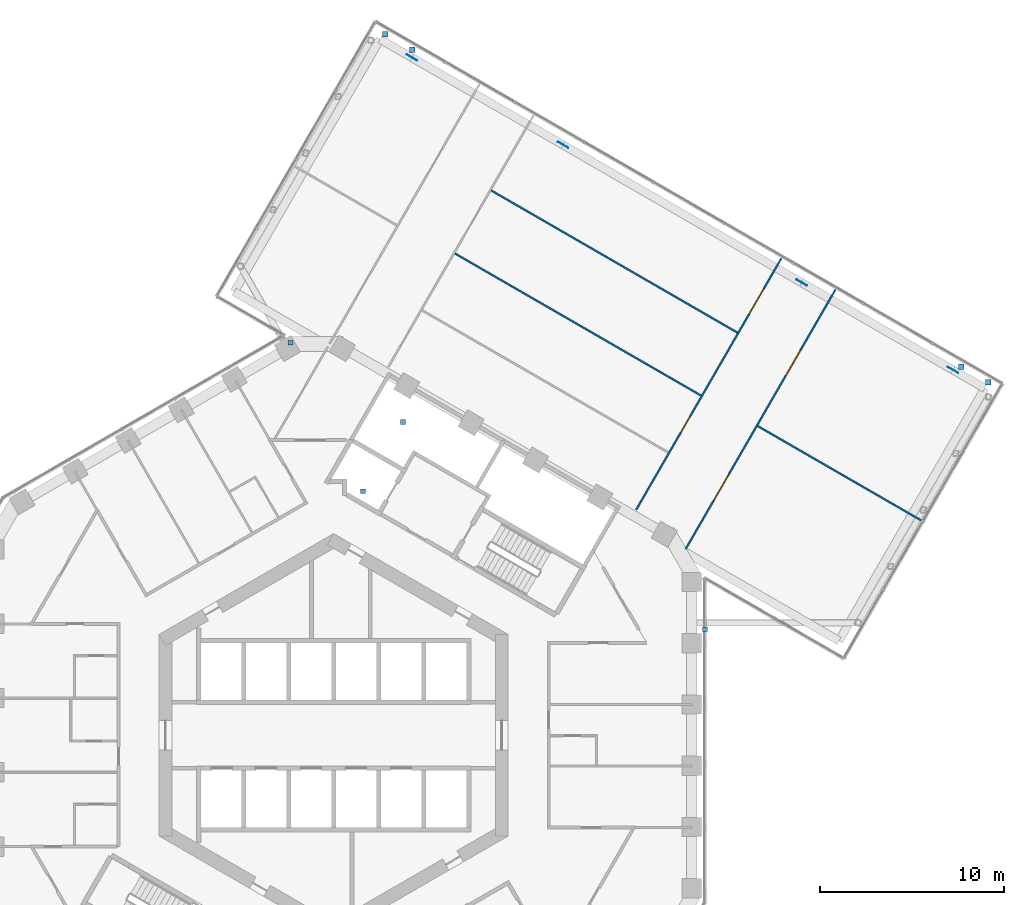
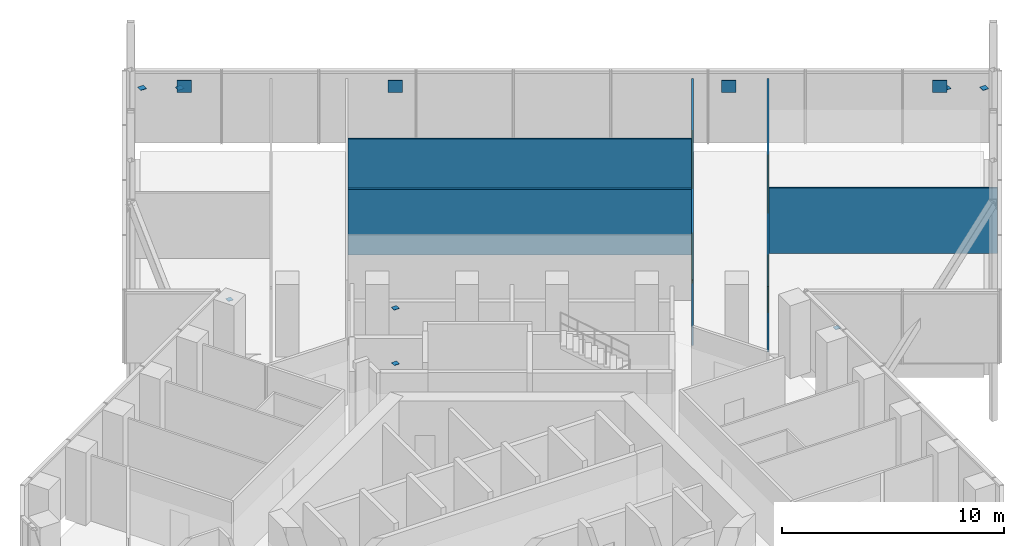
# One storey, part 22 of 25: 12 discrete accessories, 5 walls, 4 doors, 4 openings.
"""IFC4 building model written with IfcOpenShell, lengths in metres."""

from ifc_helpers import new_model, si_unit, direction, frame, frame_2d, origin, origin_2d, place, context, subcontext, project, spatial, rectangle, extrude, material, layer, layer_set, type_object, element, fill, save


model = new_model("IFC4")

# Units and contexts
model_context = context("Model", 3, precision=1e-05, world=origin(), true_north=direction((0.0, 1.0)))
body_context = subcontext(model_context, "Body", "Model", "MODEL_VIEW")
ifc_project = project(units=[si_unit("LENGTHUNIT", "METRE"), si_unit("AREAUNIT", "SQUARE_METRE"), si_unit("VOLUMEUNIT", "CUBIC_METRE"), si_unit("PLANEANGLEUNIT", "RADIAN"), si_unit("MASSUNIT", "GRAM", prefix="KILO")], contexts=[model_context])

# Site, building, storey
site_placement = place(None, origin())
site = spatial("IfcSite", under=ifc_project, at=site_placement, CompositionType="ELEMENT")
building_placement = place(site_placement, origin())
building = spatial("IfcBuilding", under=site, at=building_placement, Name="Ayvan Gate Tower", CompositionType="ELEMENT")
storey_placement = place(building_placement, frame((0.0, 0.0, 139.89990234375)))
storey = spatial("IfcBuildingStorey", under=building, at=storey_placement, Name="L37", CompositionType="ELEMENT", Elevation=139.89990234375)

# Walls
ifc_material_1 = material(Name="Plasterboard on steel stud", Category="steel")
ifc_layer_1 = layer(ifc_material_1, 0.10009765625)
ifc_layer_set_1 = layer_set([ifc_layer_1], Name="Plasterboard on steel stud")
wall_type = type_object("IfcWallType", Name="WT-PART-100", PredefinedType="PARTITIONING", material=ifc_layer_set_1)
for number, where, z_axis, x_axis, name in (
    (1, (6.599853515625, 26.214111328125, 0.0), (0.0, 0.0, 1.0), (0.86602732511, -0.499996672152, 0.0), "IW-L37-089"),
    (2, (8.577880859375, 29.64013671875, 0.0), (0.0, 0.0, 1.0), (0.866023378404, -0.500003508045, 0.0), "IW-L37-100"),
):
    element("IfcWall", number, at=place(storey_placement, frame(where, z_axis=z_axis, x_axis=x_axis)), inside=storey, type_object=wall_type, Name=name, PredefinedType="PARTITIONING", context=body_context, shape_type="SweptSolid", body=[
        extrude(rectangle(XDim=15.46484375, YDim=0.10009765625, at=frame_2d((7.732421875, 0.0))), origin(), (0.0, 0.0, 1.0), 3.60009765625),
    ])

# Wall, openings, doors
wall_1_placement = place(storey_placement, frame((16.46240234375, 12.2666015625, 0.0), z_axis=(0.0, 0.0, 1.0), x_axis=(0.499991656573, 0.866030220811, 0.0)))
wall_1 = element("IfcWall", 3, at=wall_1_placement, inside=storey, type_object=wall_type, Name="IW-L37-119", PredefinedType="PARTITIONING", context=body_context, shape_type="SweptSolid", body=[
    extrude(rectangle(XDim=15.805419921875, YDim=0.10009765625, at=frame_2d((7.90283203125, 0.0))), origin(), (0.0, 0.0, 1.0), 3.60009765625),
])
opening_1_placement = place(wall_1_placement, frame((4.860595703125, 0.0, 0.0)))
opening_1 = element("IfcOpeningElement", 4, at=opening_1_placement, cuts=wall_1, Name="Opening L37-D40", PredefinedType="OPENING", context=body_context, shape_type="SweptSolid", body=[
    extrude(rectangle(XDim=1.0, YDim=2.10009765625, at=frame_2d((0.5, 1.050048828125))), frame((0.0, 0.06005859375, 0.0), z_axis=(0.0, -1.0, 0.0), x_axis=(1.0, 0.0, 0.0)), (0.0, 0.0, 1.0), 0.1201171875),
])
opening_2_placement = place(wall_1_placement, frame((12.29638671875, 0.0, 0.0)))
opening_2 = element("IfcOpeningElement", 5, at=opening_2_placement, cuts=wall_1, Name="Opening L37-D42", PredefinedType="OPENING", context=body_context, shape_type="SweptSolid", body=[
    extrude(rectangle(XDim=1.60009765625, YDim=2.10009765625, at=frame_2d((0.800048828125, 1.050048828125))), frame((0.0, 0.06005859375, 0.0), z_axis=(0.0, -1.0, 0.0), x_axis=(1.0, 0.0, 0.0)), (0.0, 0.0, 1.0), 0.1201171875),
])
ifc_material_2 = material(Name="Timber door leaf", Category="wood")
door_type_1 = type_object("IfcDoorType", Name="DT-1000", OperationType="NOTDEFINED", PredefinedType="DOOR", material=ifc_material_2)
door_1_placement = place(opening_1_placement, origin())
door_1 = element("IfcDoor", 6, at=door_1_placement, inside=storey, type_object=door_type_1, Name="ID-L37-040", OperationType="SINGLE_SWING_LEFT", OverallHeight=2.10009765625, OverallWidth=1.0, PredefinedType="DOOR", context=body_context, shape_type="SweptSolid", body=[
    extrude(rectangle(XDim=1.0, YDim=2.10009765625, at=frame_2d((0.5, 1.050048828125))), frame((0.0, 0.02490234375, 0.0), z_axis=(0.0, -1.0, 0.0), x_axis=(1.0, 0.0, 0.0)), (0.0, 0.0, 1.0), 0.050048828125),
])
fill(opening_1, door_1)
door_type_2 = type_object("IfcDoorType", Name="DT-1600", OperationType="NOTDEFINED", PredefinedType="DOOR", material=ifc_material_2)
door_2_placement = place(opening_2_placement, origin())
door_2 = element("IfcDoor", 7, at=door_2_placement, inside=storey, type_object=door_type_2, Name="ID-L37-042", OperationType="SINGLE_SWING_LEFT", OverallHeight=2.10009765625, OverallWidth=1.60009765625, PredefinedType="DOOR", context=body_context, shape_type="SweptSolid", body=[
    extrude(rectangle(XDim=1.60009765625, YDim=2.10009765625, at=frame_2d((0.800048828125, 1.050048828125))), frame((0.0, 0.02490234375, 0.0), z_axis=(0.0, -1.0, 0.0), x_axis=(1.0, 0.0, 0.0)), (0.0, 0.0, 1.0), 0.050048828125),
])
fill(opening_2, door_2)

# Wall
wall_2_placement = place(storey_placement, frame((23.07666015625, 16.82275390625, 0.0), z_axis=(0.0, 0.0, 1.0), x_axis=(0.866026087725, -0.499998815378, 0.0)))
element("IfcWall", 8, at=wall_2_placement, inside=storey, type_object=wall_type, Name="IW-L37-122", PredefinedType="PARTITIONING", context=body_context, shape_type="SweptSolid", body=[
    extrude(rectangle(XDim=10.2724609375, YDim=0.10009765625, at=frame_2d((5.13623046875, 0.0))), origin(), (0.0, 0.0, 1.0), 3.60009765625),
])

# Wall, openings, doors
wall_3_placement = place(storey_placement, frame((19.151611328125, 10.124755859375, 0.0), z_axis=(0.0, 0.0, 1.0), x_axis=(0.500003095412, 0.86602361664, 0.0)))
wall_3 = element("IfcWall", 9, at=wall_3_placement, inside=storey, type_object=wall_type, Name="IW-L37-123", PredefinedType="PARTITIONING", context=body_context, shape_type="SweptSolid", body=[
    extrude(rectangle(XDim=16.31591796875, YDim=0.10009765625, at=frame_2d((8.157958984375, 0.0))), origin(), (0.0, 0.0, 1.0), 3.60009765625),
])
opening_3_placement = place(wall_3_placement, frame((3.066650390625, 0.0, 0.0)))
opening_3 = element("IfcOpeningElement", 10, at=opening_3_placement, cuts=wall_3, Name="Opening L37-D43", PredefinedType="OPENING", context=body_context, shape_type="SweptSolid", body=[
    extrude(rectangle(XDim=1.60009765625, YDim=2.10009765625, at=frame_2d((0.800048828125, 1.050048828125))), frame((0.0, 0.06005859375, 0.0), z_axis=(0.0, -1.0, 0.0), x_axis=(1.0, 0.0, 0.0)), (0.0, 0.0, 1.0), 0.1201171875),
])
opening_4_placement = place(wall_3_placement, frame((10.881591796875, 0.0, 0.0)))
opening_4 = element("IfcOpeningElement", 11, at=opening_4_placement, cuts=wall_3, Name="Opening L37-D44", PredefinedType="OPENING", context=body_context, shape_type="SweptSolid", body=[
    extrude(rectangle(XDim=1.60009765625, YDim=2.10009765625, at=frame_2d((0.800048828125, 1.050048828125))), frame((0.0, 0.06005859375, 0.0), z_axis=(0.0, -1.0, 0.0), x_axis=(1.0, 0.0, 0.0)), (0.0, 0.0, 1.0), 0.1201171875),
])
door_3_placement = place(opening_3_placement, origin())
door_3 = element("IfcDoor", 12, at=door_3_placement, inside=storey, type_object=door_type_2, Name="ID-L37-043", OperationType="SINGLE_SWING_RIGHT", OverallHeight=2.10009765625, OverallWidth=1.60009765625, PredefinedType="DOOR", context=body_context, shape_type="SweptSolid", body=[
    extrude(rectangle(XDim=1.60009765625, YDim=2.10009765625, at=frame_2d((0.800048828125, 1.050048828125))), frame((0.0, 0.02490234375, 0.0), z_axis=(0.0, -1.0, 0.0), x_axis=(1.0, 0.0, 0.0)), (0.0, 0.0, 1.0), 0.050048828125),
])
fill(opening_3, door_3)
door_4_placement = place(opening_4_placement, origin())
door_4 = element("IfcDoor", 13, at=door_4_placement, inside=storey, type_object=door_type_2, Name="ID-L37-044", OperationType="SINGLE_SWING_LEFT", OverallHeight=2.10009765625, OverallWidth=1.60009765625, PredefinedType="DOOR", context=body_context, shape_type="SweptSolid", body=[
    extrude(rectangle(XDim=1.60009765625, YDim=2.10009765625, at=frame_2d((0.800048828125, 1.050048828125))), frame((0.0, 0.02490234375, 0.0), z_axis=(0.0, -1.0, 0.0), x_axis=(1.0, 0.0, 0.0)), (0.0, 0.0, 1.0), 0.050048828125),
])
fill(opening_4, door_4)

# Discrete accessories
ifc_material_3 = material(Name="Steel S460ML", Category="steel")
ifc_layer_2 = layer(ifc_material_3, 0.034912109375)
ifc_layer_set_2 = layer_set([ifc_layer_2], Name="Steel S460ML")
discrete_accessory_type_1 = type_object("IfcDiscreteAccessoryType", Name="Gusset plate 35 mm", PredefinedType="BRACKET", material=ifc_layer_set_2)
for number, where, z_axis, x_axis, name in (
    (14, (25.4755859375, 24.625244140625, 3.27490234375), (0.0, 0.0, 1.0), (-0.866025403784, 0.5, 0.0), "Gusset plate EXO-B3-D1A"),
    (15, (33.702880859375, 19.875244140625, 3.27490234375), (0.0, 0.0, 1.0), (-0.866025403784, 0.5, 0.0), "Gusset plate EXO-B3-D1B"),
    (16, (12.4853515625, 32.125244140625, 3.27490234375), (0.0, 0.0, 1.0), (-0.866025403784, 0.5, 0.0), "Gusset plate EXO-B3-D2A"),
    (17, (4.258056640625, 36.875244140625, 3.27490234375), (0.0, 0.0, 1.0), (-0.866025403784, 0.5, 0.0), "Gusset plate EXO-B3-D3A"),
):
    element("IfcDiscreteAccessory", number, at=place(storey_placement, frame(where, z_axis=z_axis, x_axis=x_axis)), inside=storey, type_object=discrete_accessory_type_1, Name=name, PredefinedType="BRACKET", context=body_context, shape_type="SweptSolid", body=[
        extrude(rectangle(XDim=0.650146484375, YDim=0.034912109375, at=origin_2d()), origin(), (0.0, 0.0, 1.0), 0.650146484375),
    ])
ifc_layer_3 = layer(ifc_material_3, 0.02001953125)
ifc_layer_set_3 = layer_set([ifc_layer_3], Name="Steel S460ML")
discrete_accessory_type_2 = type_object("IfcDiscreteAccessoryType", Name="Sky bar end cap plate", PredefinedType="BRACKET", material=ifc_layer_set_3)
for number, where, z_axis, x_axis, name in (
    (18, (20.210205078125, 5.76904296875, 3.60009765625), (0.0, 0.0, 1.0), (1.0, 0.0, 0.0), "End cap SBT3-1-U-4:EC"),
    (19, (1.603515625, 13.277099609375, 3.60009765625), (0.0, 0.0, 1.0), (1.0, 0.0, 0.0), "End cap SBT3-3-U-1:EC"),
    (20, (3.77978515625, 17.046630859375, 3.60009765625), (0.0, 0.0, 1.0), (1.0, 0.0, 0.0), "End cap SBT3-3-U-2:EC"),
    (21, (-2.341064453125, 21.3564453125, 3.60009765625), (0.0, 0.0, 1.0), (1.0, 0.0, 0.0), "End cap SBT3-4-U-4:EC"),
):
    element("IfcDiscreteAccessory", number, at=place(storey_placement, frame(where, z_axis=z_axis, x_axis=x_axis)), inside=storey, type_object=discrete_accessory_type_2, Name=name, PredefinedType="BRACKET", context=body_context, shape_type="SweptSolid", body=[
        extrude(rectangle(XDim=0.260009765625, YDim=0.260009765625, at=origin_2d()), origin(), (0.0, 0.0, 1.0), 0.02001953125),
    ])
for number, where, z_axis, x_axis, name in (
    (22, (2.802734375, 38.154296875, 3.22509765625), (0.0, 0.0, 1.0), (1.0, 0.0, 0.0), "End cap SBX3-C-P-1:EC1"),
    (23, (4.27490234375, 37.30419921875, 3.22509765625), (0.0, 0.0, 1.0), (1.0, 0.0, 0.0), "End cap SBX3-C-P-2:EC1"),
    (24, (34.15283203125, 20.05419921875, 3.22509765625), (0.0, 0.0, 1.0), (1.0, 0.0, 0.0), "End cap SBX3-C-P-3:EC1"),
    (25, (35.625, 19.204345703125, 3.22509765625), (0.0, 0.0, 1.0), (1.0, 0.0, 0.0), "End cap SBX3-C-P-4:EC1"),
):
    element("IfcDiscreteAccessory", number, at=place(storey_placement, frame(where, z_axis=z_axis, x_axis=x_axis)), inside=storey, type_object=discrete_accessory_type_2, Name=name, PredefinedType="BRACKET", context=body_context, shape_type="SweptSolid", body=[
        extrude(rectangle(XDim=0.300048828125, YDim=0.300048828125, at=origin_2d()), origin(), (0.0, 0.0, 1.0), 0.02001953125),
    ])

save(model, "model.ifc")
